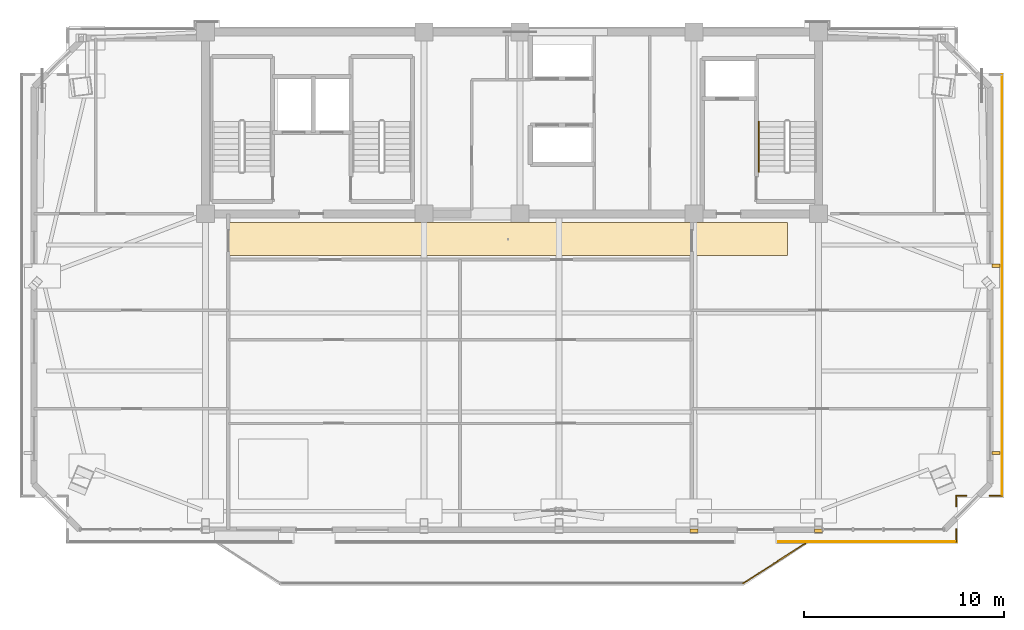
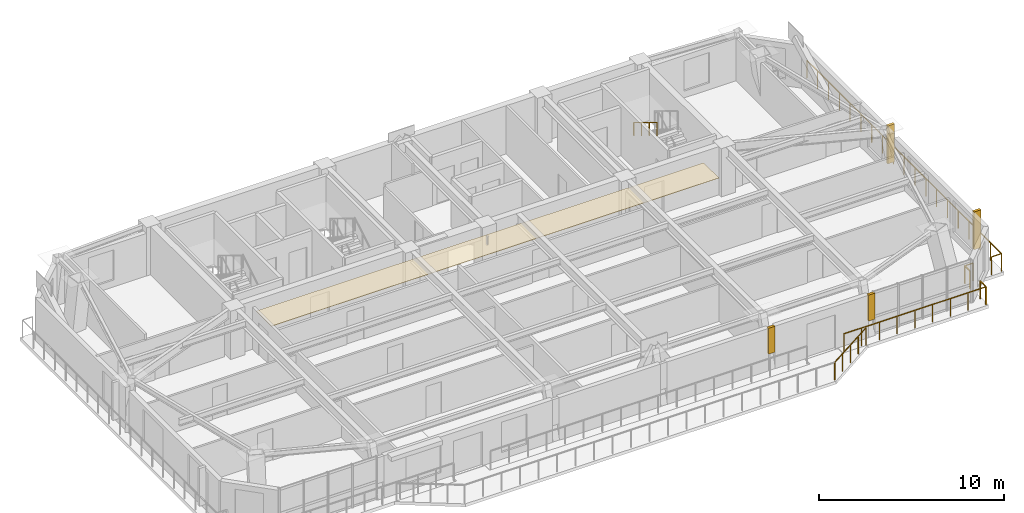
# One storey, part 12 of 13: 8 railings, 3 coverings, 2 shading devices.
"""IFC4 building model written with IfcOpenShell, lengths in metres."""

from ifc_helpers import new_model, si_unit, direction, frame, origin, origin_2d, place, context, subcontext, project, spatial, polyline, rectangle, outline, extrude, source, transform, mapped, material, layer, layer_set, type_object, element, save


model = new_model("IFC4")

# Units and contexts
model_context = context("Model", 3, precision=1e-05, world=origin(), true_north=direction((0.0, 1.0)))
body_context = subcontext(model_context, "Body", "Model", "MODEL_VIEW")
ifc_project = project(units=[si_unit("LENGTHUNIT", "METRE"), si_unit("AREAUNIT", "SQUARE_METRE"), si_unit("VOLUMEUNIT", "CUBIC_METRE"), si_unit("PLANEANGLEUNIT", "RADIAN"), si_unit("MASSUNIT", "GRAM", prefix="KILO")], contexts=[model_context])

# Site, building, storey
site_placement = place(None, origin())
site = spatial("IfcSite", under=ifc_project, at=site_placement, CompositionType="ELEMENT")
building_placement = place(site_placement, origin())
building = spatial("IfcBuilding", under=site, at=building_placement, Name="Giltprow Tower", CompositionType="ELEMENT")
storey_placement = place(building_placement, frame((0.0, 0.0, 332.300048828125)))
storey = spatial("IfcBuildingStorey", under=building, at=storey_placement, Name="L86", CompositionType="ELEMENT", Elevation=332.300048828125)

# Coverings
ifc_material_1 = material(Name="Painted gypsum board", Category="gypsum")
ifc_layer_1 = layer(ifc_material_1, 0.030029296875, Name="Painted gypsum board")
ifc_layer_set_1 = layer_set([ifc_layer_1], Name="Painted gypsum board")
covering_type_1 = type_object("IfcCoveringType", Name="COV-CLG-GYPSUM", PredefinedType="CEILING", material=ifc_layer_set_1)
covering_1_placement = place(storey_placement, frame((0.0, 0.0, 2.619873046875)))
element("IfcCovering", 1, at=covering_1_placement, inside=storey, type_object=covering_type_1, Name="L86 Residence Gallery Ceiling", PredefinedType="CEILING", context=body_context, shape_type="SweptSolid", body=[
    extrude(outline(polyline([(21.0, 35.35009765625), (49.0, 35.35009765625), (49.0, 37.0), (21.0, 37.0), (21.0, 35.35009765625)])), origin(), (0.0, 0.0, 1.0), 0.030029296875),
])
ifc_material_2 = material(Name="Anodized bronze", Category="metal")
ifc_layer_2 = layer(ifc_material_2, 0.0400390625, Name="Anodized bronze")
ifc_layer_set_2 = layer_set([ifc_layer_2], Name="Anodized bronze")
covering_type_2 = type_object("IfcCoveringType", Name="COV-SOFFIT-BRONZE", PredefinedType="CLADDING", material=ifc_layer_set_2)
covering_2_placement = place(storey_placement, frame((0.0, 0.0, 1.099853515625)))
element("IfcCovering", 2, at=covering_2_placement, inside=storey, type_object=covering_type_2, Name="L86 Setback Pier Closure Cladding S-4", PredefinedType="CLADDING", context=body_context, shape_type="SweptSolid", body=[
    extrude(outline(polyline([(44.10009765625, 21.49609375), (44.5, 21.49609375), (44.5, 21.656005859375), (44.10009765625, 21.656005859375), (44.10009765625, 21.49609375)])), origin(), (0.0, 0.0, 1.0), 1.715087890625),
])
covering_3_placement = place(storey_placement, frame((0.0, 0.0, 1.099853515625)))
element("IfcCovering", 3, at=covering_3_placement, inside=storey, type_object=covering_type_2, Name="L86 Setback Pier Closure Cladding S-5", PredefinedType="CLADDING", context=body_context, shape_type="SweptSolid", body=[
    extrude(outline(polyline([(50.35009765625, 21.49609375), (50.75, 21.49609375), (50.75, 21.656005859375), (50.35009765625, 21.656005859375), (50.35009765625, 21.49609375)])), origin(), (0.0, 0.0, 1.0), 1.715087890625),
])

# Railings
railing_type_1 = type_object("IfcRailingType", Name="RAIL-BALC-GUARD-1200", PredefinedType="BALUSTRADE", material=ifc_material_2)
railing_1_placement = place(storey_placement, frame((46.780029296875, 18.9560546875, 0.0)))
element("IfcRailing", 4, at=railing_1_placement, inside=storey, type_object=railing_type_1, Name="L86 Waterfront Balcony Balustrade Seg 3", PredefinedType="BALUSTRADE", context=body_context, shape_type="SweptSolid", body=[
    extrude(rectangle(XDim=0.048095703125, YDim=0.048095703125, at=origin_2d()), frame((0.0, 0.0, 1.17578125), z_axis=(0.842755646126, 0.538296313309, 0.0), x_axis=(-0.538296313309, 0.842755646126, 0.0)), (0.0, 0.0, 1.0), 3.67822265625),
    extrude(rectangle(XDim=0.0419921875, YDim=0.0419921875, at=origin_2d()), origin(), (0.0, 0.0, 1.0), 1.15185546875),
    extrude(rectangle(XDim=0.0419921875, YDim=0.0419921875, at=origin_2d()), frame((0.77490234375, 0.4951171875, 0.0)), (0.0, 0.0, 1.0), 1.15185546875),
    extrude(rectangle(XDim=0.0419921875, YDim=0.0419921875, at=origin_2d()), frame((1.5498046875, 0.989990234375, 0.0)), (0.0, 0.0, 1.0), 1.15185546875),
    extrude(rectangle(XDim=0.0419921875, YDim=0.0419921875, at=origin_2d()), frame((2.324951171875, 1.48486328125, 0.0)), (0.0, 0.0, 1.0), 1.15185546875),
    extrude(rectangle(XDim=0.0419921875, YDim=0.0419921875, at=origin_2d()), frame((3.099853515625, 1.97998046875, 0.0)), (0.0, 0.0, 1.0), 1.15185546875),
])
railing_2_placement = place(storey_placement, frame((59.73095703125, 44.407958984375, 0.0)))
element("IfcRailing", 5, at=railing_2_placement, inside=storey, type_object=railing_type_1, Name="L86 Corner Apron Edge Balustrade 1", PredefinedType="BALUSTRADE", context=body_context, shape_type="SweptSolid", body=[
    extrude(rectangle(XDim=0.048095703125, YDim=0.048095703125, at=origin_2d()), frame((0.0, 0.0, 1.17578125), z_axis=(0.0, -1.0, 0.0), x_axis=(1.0, 0.0, 0.0)), (0.0, 0.0, 1.0), 21.080078125),
    extrude(rectangle(XDim=0.0419921875, YDim=0.0419921875, at=origin_2d()), origin(), (0.0, 0.0, 1.0), 1.15185546875),
    extrude(rectangle(XDim=0.0419921875, YDim=0.0419921875, at=origin_2d()), frame((0.0, -1.171142578125, 0.0)), (0.0, 0.0, 1.0), 1.15185546875),
    extrude(rectangle(XDim=0.0419921875, YDim=0.0419921875, at=origin_2d()), frame((0.0, -2.34228515625, 0.0)), (0.0, 0.0, 1.0), 1.15185546875),
    extrude(rectangle(XDim=0.0419921875, YDim=0.0419921875, at=origin_2d()), frame((0.0, -3.513427734375, 0.0)), (0.0, 0.0, 1.0), 1.15185546875),
    extrude(rectangle(XDim=0.0419921875, YDim=0.0419921875, at=origin_2d()), frame((0.0, -4.6845703125, 0.0)), (0.0, 0.0, 1.0), 1.15185546875),
    extrude(rectangle(XDim=0.0419921875, YDim=0.0419921875, at=origin_2d()), frame((0.0, -5.85546875, 0.0)), (0.0, 0.0, 1.0), 1.15185546875),
    extrude(rectangle(XDim=0.0419921875, YDim=0.0419921875, at=origin_2d()), frame((0.0, -7.026611328125, 0.0)), (0.0, 0.0, 1.0), 1.15185546875),
    extrude(rectangle(XDim=0.0419921875, YDim=0.0419921875, at=origin_2d()), frame((0.0, -8.19775390625, 0.0)), (0.0, 0.0, 1.0), 1.15185546875),
    extrude(rectangle(XDim=0.0419921875, YDim=0.0419921875, at=origin_2d()), frame((0.0, -9.368896484375, 0.0)), (0.0, 0.0, 1.0), 1.15185546875),
    extrude(rectangle(XDim=0.0419921875, YDim=0.0419921875, at=origin_2d()), frame((0.0, -10.5400390625, 0.0)), (0.0, 0.0, 1.0), 1.15185546875),
    extrude(rectangle(XDim=0.0419921875, YDim=0.0419921875, at=origin_2d()), frame((0.0, -11.711181640625, 0.0)), (0.0, 0.0, 1.0), 1.15185546875),
    extrude(rectangle(XDim=0.0419921875, YDim=0.0419921875, at=origin_2d()), frame((0.0, -12.88232421875, 0.0)), (0.0, 0.0, 1.0), 1.15185546875),
    extrude(rectangle(XDim=0.0419921875, YDim=0.0419921875, at=origin_2d()), frame((0.0, -14.053466796875, 0.0)), (0.0, 0.0, 1.0), 1.15185546875),
    extrude(rectangle(XDim=0.0419921875, YDim=0.0419921875, at=origin_2d()), frame((0.0, -15.224609375, 0.0)), (0.0, 0.0, 1.0), 1.15185546875),
    extrude(rectangle(XDim=0.0419921875, YDim=0.0419921875, at=origin_2d()), frame((0.0, -16.3955078125, 0.0)), (0.0, 0.0, 1.0), 1.15185546875),
    extrude(rectangle(XDim=0.0419921875, YDim=0.0419921875, at=origin_2d()), frame((0.0, -17.566650390625, 0.0)), (0.0, 0.0, 1.0), 1.15185546875),
    extrude(rectangle(XDim=0.0419921875, YDim=0.0419921875, at=origin_2d()), frame((0.0, -18.73779296875, 0.0)), (0.0, 0.0, 1.0), 1.15185546875),
    extrude(rectangle(XDim=0.0419921875, YDim=0.0419921875, at=origin_2d()), frame((0.0, -19.908935546875, 0.0)), (0.0, 0.0, 1.0), 1.15185546875),
    extrude(rectangle(XDim=0.0419921875, YDim=0.0419921875, at=origin_2d()), frame((0.0, -21.080078125, 0.0)), (0.0, 0.0, 1.0), 1.15185546875),
])
railing_3_placement = place(storey_placement, frame((59.73095703125, 23.327880859375, 0.0)))
element("IfcRailing", 6, at=railing_3_placement, inside=storey, type_object=railing_type_1, Name="L86 Corner Apron Edge Balustrade 2", PredefinedType="BALUSTRADE", context=body_context, shape_type="SweptSolid", body=[
    extrude(rectangle(XDim=0.048095703125, YDim=0.048095703125, at=origin_2d()), frame((0.0, 0.0, 1.17578125), z_axis=(-1.0, 0.0, 0.0), x_axis=(0.0, -1.0, 0.0)), (0.0, 0.0, 1.0), 0.619873046875),
    extrude(rectangle(XDim=0.0419921875, YDim=0.0419921875, at=origin_2d()), origin(), (0.0, 0.0, 1.0), 1.15185546875),
    extrude(rectangle(XDim=0.0419921875, YDim=0.0419921875, at=origin_2d()), frame((-0.619873046875, 0.0, 0.0)), (0.0, 0.0, 1.0), 1.15185546875),
])
railing_4_placement = place(storey_placement, frame((57.950927734375, 23.327880859375, 0.0)))
element("IfcRailing", 7, at=railing_4_placement, inside=storey, type_object=railing_type_1, Name="L86 Corner Apron Edge Balustrade 3", PredefinedType="BALUSTRADE", context=body_context, shape_type="SweptSolid", body=[
    extrude(rectangle(XDim=0.048095703125, YDim=0.048095703125, at=origin_2d()), frame((0.0, 0.0, 1.17578125), z_axis=(-1.0, 0.0, 0.0), x_axis=(0.0, -1.0, 0.0)), (0.0, 0.0, 1.0), 0.512939453125),
    extrude(rectangle(XDim=0.0419921875, YDim=0.0419921875, at=origin_2d()), origin(), (0.0, 0.0, 1.0), 1.15185546875),
    extrude(rectangle(XDim=0.0419921875, YDim=0.0419921875, at=origin_2d()), frame((-0.512939453125, 0.0, 0.0)), (0.0, 0.0, 1.0), 1.15185546875),
])
railing_5_placement = place(storey_placement, frame((57.43798828125, 23.327880859375, 0.0)))
element("IfcRailing", 8, at=railing_5_placement, inside=storey, type_object=railing_type_1, Name="L86 Corner Apron Edge Balustrade 4", PredefinedType="BALUSTRADE", context=body_context, shape_type="SweptSolid", body=[
    extrude(rectangle(XDim=0.048095703125, YDim=0.048095703125, at=origin_2d()), frame((0.0, 0.0, 1.17578125), z_axis=(0.0, -1.0, 0.0), x_axis=(1.0, 0.0, 0.0)), (0.0, 0.0, 1.0), 0.512939453125),
    extrude(rectangle(XDim=0.0419921875, YDim=0.0419921875, at=origin_2d()), origin(), (0.0, 0.0, 1.0), 1.15185546875),
    extrude(rectangle(XDim=0.0419921875, YDim=0.0419921875, at=origin_2d()), frame((0.0, -0.512939453125, 0.0)), (0.0, 0.0, 1.0), 1.15185546875),
])
railing_6_placement = place(storey_placement, frame((57.43798828125, 21.655029296875, 0.0)))
element("IfcRailing", 9, at=railing_6_placement, inside=storey, type_object=railing_type_1, Name="L86 Corner Apron Edge Balustrade 5", PredefinedType="BALUSTRADE", context=body_context, shape_type="SweptSolid", body=[
    extrude(rectangle(XDim=0.048095703125, YDim=0.048095703125, at=origin_2d()), frame((0.0, 0.0, 1.17578125), z_axis=(0.0, -1.0, 0.0), x_axis=(1.0, 0.0, 0.0)), (0.0, 0.0, 1.0), 0.619140625),
    extrude(rectangle(XDim=0.0419921875, YDim=0.0419921875, at=origin_2d()), origin(), (0.0, 0.0, 1.0), 1.15185546875),
    extrude(rectangle(XDim=0.0419921875, YDim=0.0419921875, at=origin_2d()), frame((0.0, -0.619140625, 0.0)), (0.0, 0.0, 1.0), 1.15185546875),
])
railing_7_placement = place(storey_placement, frame((57.43798828125, 21.035888671875, 0.0)))
element("IfcRailing", 10, at=railing_7_placement, inside=storey, type_object=railing_type_1, Name="L86 Corner Apron Edge Balustrade 6", PredefinedType="BALUSTRADE", context=body_context, shape_type="SweptSolid", body=[
    extrude(rectangle(XDim=0.048095703125, YDim=0.048095703125, at=origin_2d()), frame((0.0, 0.0, 1.17578125), z_axis=(-1.0, 0.0, 0.0), x_axis=(0.0, -1.0, 0.0)), (0.0, 0.0, 1.0), 8.887939453125),
    extrude(rectangle(XDim=0.0419921875, YDim=0.0419921875, at=origin_2d()), origin(), (0.0, 0.0, 1.0), 1.15185546875),
    extrude(rectangle(XDim=0.0419921875, YDim=0.0419921875, at=origin_2d()), frame((-1.111083984375, 0.0, 0.0)), (0.0, 0.0, 1.0), 1.15185546875),
    extrude(rectangle(XDim=0.0419921875, YDim=0.0419921875, at=origin_2d()), frame((-2.221923828125, 0.0, 0.0)), (0.0, 0.0, 1.0), 1.15185546875),
    extrude(rectangle(XDim=0.0419921875, YDim=0.0419921875, at=origin_2d()), frame((-3.3330078125, 0.0, 0.0)), (0.0, 0.0, 1.0), 1.15185546875),
    extrude(rectangle(XDim=0.0419921875, YDim=0.0419921875, at=origin_2d()), frame((-4.44384765625, 0.0, 0.0)), (0.0, 0.0, 1.0), 1.15185546875),
    extrude(rectangle(XDim=0.0419921875, YDim=0.0419921875, at=origin_2d()), frame((-5.554931640625, 0.0, 0.0)), (0.0, 0.0, 1.0), 1.15185546875),
    extrude(rectangle(XDim=0.0419921875, YDim=0.0419921875, at=origin_2d()), frame((-6.666015625, 0.0, 0.0)), (0.0, 0.0, 1.0), 1.15185546875),
    extrude(rectangle(XDim=0.0419921875, YDim=0.0419921875, at=origin_2d()), frame((-7.77685546875, 0.0, 0.0)), (0.0, 0.0, 1.0), 1.15185546875),
    extrude(rectangle(XDim=0.0419921875, YDim=0.0419921875, at=origin_2d()), frame((-8.887939453125, 0.0, 0.0)), (0.0, 0.0, 1.0), 1.15185546875),
])
railing_type_2 = type_object("IfcRailingType", Name="RAIL-STAIR-HAND-900", PredefinedType="HANDRAIL", material=ifc_material_2)
railing_8_placement = place(storey_placement, frame((47.550048828125, 42.070068359375, 1.869873046875)))
element("IfcRailing", 11, at=railing_8_placement, inside=storey, type_object=railing_type_2, Name="L86 ST-3 stair handrail 2", PredefinedType="HANDRAIL", context=body_context, shape_type="SweptSolid", body=[
    extrude(rectangle(XDim=0.048095703125, YDim=0.048095703125, at=origin_2d()), frame((0.0, 0.0, 0.8759765625), z_axis=(0.0, -0.85478489116, 0.518982456201), x_axis=(1.0, 0.0, 0.0)), (0.0, 0.0, 1.0), 2.9482421875),
    extrude(rectangle(XDim=0.0419921875, YDim=0.0419921875, at=origin_2d()), origin(), (0.0, 0.0, 1.0), 0.851806640625),
    extrude(rectangle(XDim=0.0419921875, YDim=0.0419921875, at=origin_2d()), frame((0.0, -0.840087890625, 0.510009765625)), (0.0, 0.0, 1.0), 0.851806640625),
    extrude(rectangle(XDim=0.0419921875, YDim=0.0419921875, at=origin_2d()), frame((0.0, -1.679931640625, 1.02001953125)), (0.0, 0.0, 1.0), 0.851806640625),
    extrude(rectangle(XDim=0.0419921875, YDim=0.0419921875, at=origin_2d()), frame((0.0, -2.52001953125, 1.530029296875)), (0.0, 0.0, 1.0), 0.851806640625),
])

# Shading devices
shading_device_type = type_object("IfcShadingDeviceType", Name="SHD-FIN-420", PredefinedType="USERDEFINED", material=ifc_material_2)
shared_shape = source(origin(), body_context, "Body", "SweptSolid", [
    extrude(rectangle(XDim=0.419921875, YDim=0.159912109375, at=origin_2d()), origin(), (0.0, 0.0, 1.0), 2.5),
])
for number, where, z_axis, x_axis, name in (
    (12, (59.430908203125, 25.47998046875, 0.349853515625), (0.0, 0.0, 1.0), (1.0, 0.0, 0.0), "L86 E Bronze Vertical Fin 1-1"),
    (13, (59.430908203125, 34.843994140625, 0.349853515625), (0.0, 0.0, 1.0), (1.0, 0.0, 0.0), "L86 E Bronze Vertical Fin 2-1"),
):
    element("IfcShadingDevice", number, at=place(storey_placement, frame(where, z_axis=z_axis, x_axis=x_axis)), inside=storey, type_object=shading_device_type, Name=name, ObjectType="FIN", PredefinedType="USERDEFINED", context=body_context, shape_type="MappedRepresentation", body=[
        mapped(shared_shape, transform((0.0, 0.0, 0.0), x_axis=(1.0, 0.0, 0.0), y_axis=(0.0, 1.0, 0.0), z_axis=(0.0, 0.0, 1.0), scale=1.0)),
    ])

save(model, "model.ifc")
